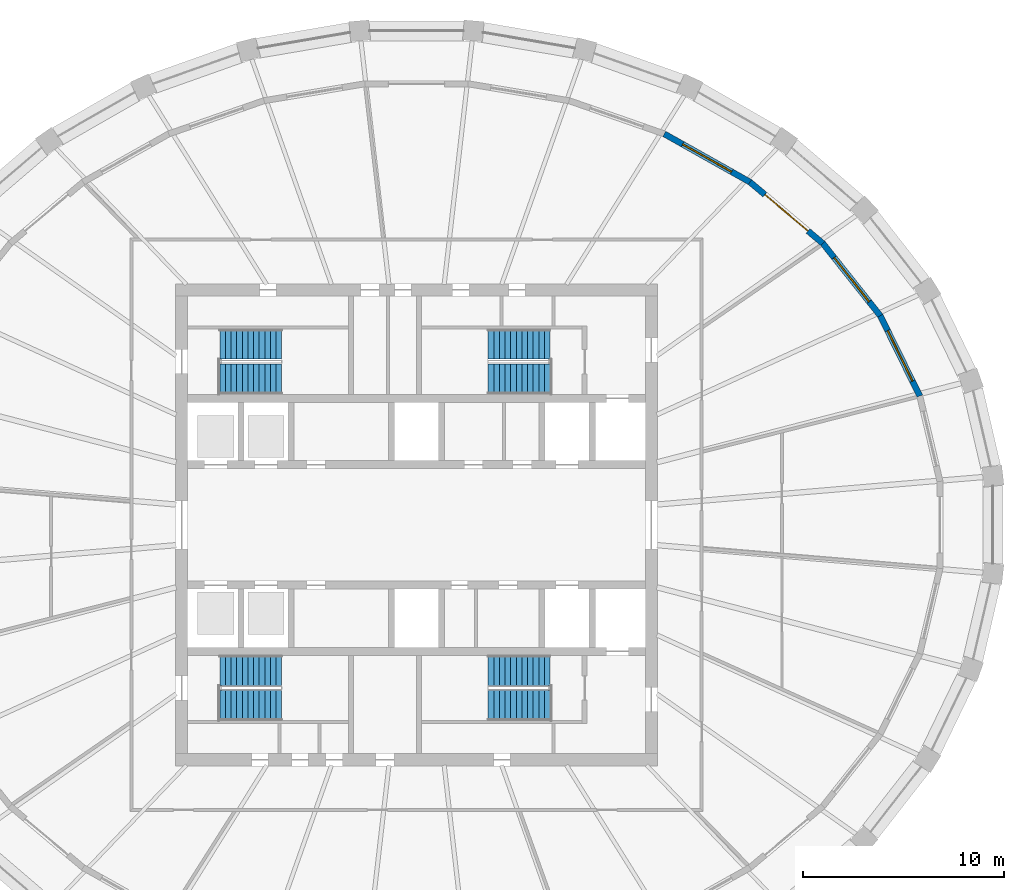
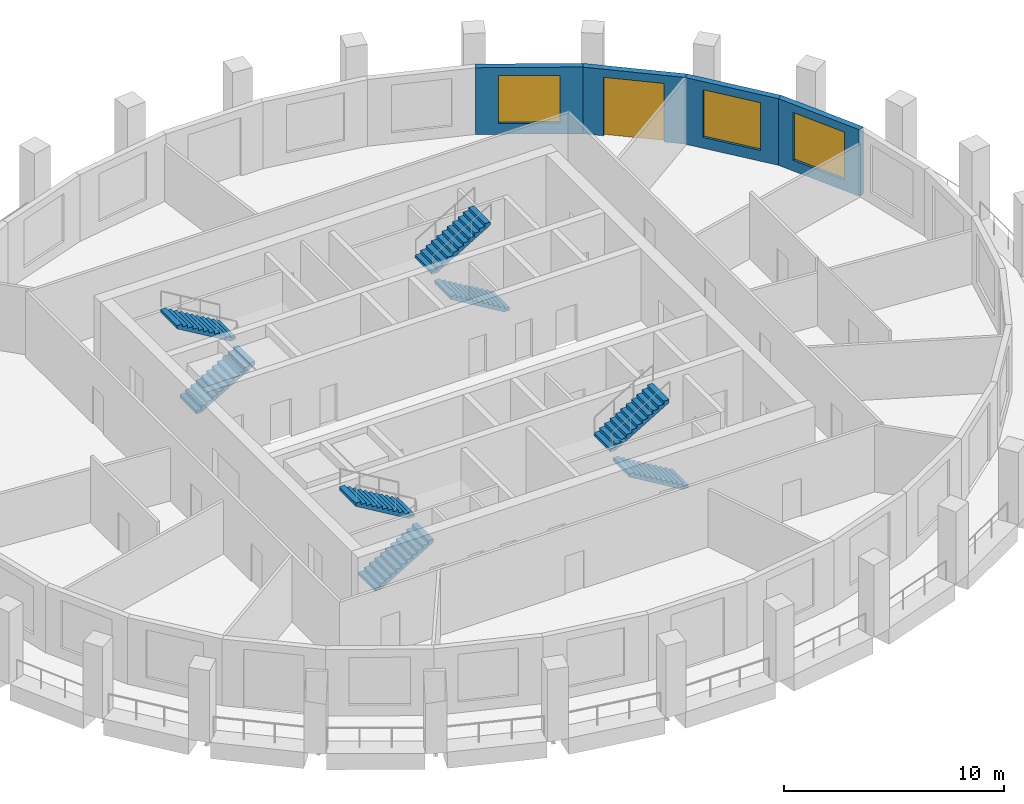
# One storey, part 7 of 10: 8 stair flights, 4 walls, 3 windows, 1 door, 4 openings, 4 elements without a shape of their own.
"""IFC4 building model written with IfcOpenShell, lengths in metres."""

from ifc_helpers import new_model, si_unit, direction, frame, frame_2d, origin, place, context, subcontext, project, spatial, polyline, rectangle, outline, extrude, material, layer, layer_set, type_object, element, fill, aggregate, save


model = new_model("IFC4")

# Units and contexts
model_context = context("Model", 3, precision=1e-05, world=origin(), true_north=direction((0.0, 1.0)))
body_context = subcontext(model_context, "Body", "Model", "MODEL_VIEW")
ifc_project = project(units=[si_unit("LENGTHUNIT", "METRE"), si_unit("AREAUNIT", "SQUARE_METRE"), si_unit("VOLUMEUNIT", "CUBIC_METRE"), si_unit("PLANEANGLEUNIT", "RADIAN"), si_unit("MASSUNIT", "GRAM", prefix="KILO")], contexts=[model_context])

# Site, building, storey
site_placement = place(None, origin())
site = spatial("IfcSite", under=ifc_project, at=site_placement, CompositionType="ELEMENT")
building_placement = place(site_placement, origin())
building = spatial("IfcBuilding", under=site, at=building_placement, Name="Halqa Exchange Tower", CompositionType="ELEMENT")
storey_placement = place(building_placement, frame((0.0, 0.0, 304.300048828125)))
storey = spatial("IfcBuildingStorey", under=building, at=storey_placement, Name="L71", CompositionType="ELEMENT", Elevation=304.300048828125)

# Wall, opening, window
ifc_material_1 = material(Name="Limestone cladding", Category="masonry")
ifc_layer_1 = layer(ifc_material_1, 0.0400390625)
ifc_material_2 = material(Name="Ventilated cavity")
ifc_layer_2 = layer(ifc_material_2, 0.030029296875, ventilated=True)
ifc_material_3 = material(Name="Mineral wool insulation")
ifc_layer_3 = layer(ifc_material_3, 0.10009765625)
ifc_material_4 = material(Name="Concrete C30/37", Category="concrete")
ifc_layer_4 = layer(ifc_material_4, 0.10009765625)
ifc_material_5 = material(Name="Internal plaster")
ifc_layer_5 = layer(ifc_material_5, 0.030029296875)
ifc_layer_set = layer_set([ifc_layer_1, ifc_layer_2, ifc_layer_3, ifc_layer_4, ifc_layer_5], Name="Stone-faced insulated wall 300")
wall_type = type_object("IfcWallType", Name="Stone-faced insulated wall 300", PredefinedType="STANDARD", material=ifc_layer_set)
wall_1_placement = place(storey_placement, frame((25.062744140625, 6.41455078125, 0.0), z_axis=(0.0, 0.0, 1.0), x_axis=(-0.441509050872, 0.897256796017, 0.0)))
wall_1 = element("IfcWall", 1, at=wall_1_placement, inside=storey, type_object=wall_type, Name="Glass-line wall 2", PredefinedType="STANDARD", context=body_context, shape_type="SweptSolid", body=[
    extrude(outline(polyline([(-0.016845703125, -0.14990234375), (4.47412109375, -0.14990234375), (4.44189453125, 0.14990234375), (0.016845703125, 0.14990234375), (-0.016845703125, -0.14990234375)])), origin(), (0.0, 0.0, 1.0), 3.699951171875),
])
opening_1_placement = place(wall_1_placement, frame((0.8291015625, 0.0, 0.60009765625)))
opening_1 = element("IfcOpeningElement", 2, at=opening_1_placement, cuts=wall_1, Name="Opening W-F4-02", PredefinedType="OPENING", context=body_context, shape_type="SweptSolid", body=[
    extrude(rectangle(XDim=2.800048828125, YDim=2.64990234375, at=frame_2d((1.39990234375, 1.324951171875))), frame((0.0, 0.162109375, 0.0), z_axis=(0.0, -1.0, 0.0), x_axis=(1.0, 0.0, 0.0)), (0.0, 0.0, 1.0), 0.323974609375),
])
ifc_material_6 = material(Name="Clear low-emissivity glass in aluminium frame", Category="aluminium")
window_type = type_object("IfcWindowType", Name="Fixed clear glazed window 2800 x 2650", PartitioningType="DOUBLE_PANEL_VERTICAL", PredefinedType="WINDOW", material=ifc_material_6)
window_1_placement = place(opening_1_placement, origin())
window_1 = element("IfcWindow", 3, at=window_1_placement, inside=storey, type_object=window_type, Name="Window 4", OverallHeight=2.64990234375, OverallWidth=2.800048828125, PartitioningType="DOUBLE_PANEL_VERTICAL", PredefinedType="WINDOW", context=body_context, shape_type="SweptSolid", body=[
    extrude(rectangle(XDim=2.800048828125, YDim=2.64990234375, at=frame_2d((1.39990234375, 1.324951171875))), frame((0.0, 0.030029296875, 0.0), z_axis=(0.0, -1.0, 0.0), x_axis=(1.0, 0.0, 0.0)), (0.0, 0.0, 1.0), 0.06005859375),
])
fill(opening_1, window_1)

wall_2_placement = place(storey_placement, frame((23.094482421875, 10.41455078125, 0.0), z_axis=(0.0, 0.0, 1.0), x_axis=(-0.621682706372, 0.78326918272, 0.0)))
wall_2 = element("IfcWall", 4, at=wall_2_placement, inside=storey, type_object=wall_type, Name="Glass-line wall 3", PredefinedType="STANDARD", context=body_context, shape_type="SweptSolid", body=[
    extrude(outline(polyline([(-0.01611328125, -0.14990234375), (4.608154296875, -0.14990234375), (4.577880859375, 0.14990234375), (0.01611328125, 0.14990234375), (-0.01611328125, -0.14990234375)])), origin(), (0.0, 0.0, 1.0), 3.699951171875),
])
opening_2_placement = place(wall_2_placement, frame((0.896484375, 0.0, 0.60009765625)))
opening_2 = element("IfcOpeningElement", 5, at=opening_2_placement, cuts=wall_2, Name="Opening W-F4-03", PredefinedType="OPENING", context=body_context, shape_type="SweptSolid", body=[
    extrude(rectangle(XDim=2.800048828125, YDim=2.64990234375, at=frame_2d((1.39990234375, 1.324951171875))), frame((0.0, 0.162109375, 0.0), z_axis=(0.0, -1.0, 0.0), x_axis=(1.0, 0.0, 0.0)), (0.0, 0.0, 1.0), 0.323974609375),
])
window_2_placement = place(opening_2_placement, origin())
window_2 = element("IfcWindow", 6, at=window_2_placement, inside=storey, type_object=window_type, Name="Window 4", OverallHeight=2.64990234375, OverallWidth=2.800048828125, PartitioningType="DOUBLE_PANEL_VERTICAL", PredefinedType="WINDOW", context=body_context, shape_type="SweptSolid", body=[
    extrude(rectangle(XDim=2.800048828125, YDim=2.64990234375, at=frame_2d((1.39990234375, 1.324951171875))), frame((0.0, 0.030029296875, 0.0), z_axis=(0.0, -1.0, 0.0), x_axis=(1.0, 0.0, 0.0)), (0.0, 0.0, 1.0), 0.06005859375),
])
fill(opening_2, window_2)

# Wall, opening, door
wall_3_placement = place(storey_placement, frame((20.239013671875, 14.01220703125, 0.0), z_axis=(0.0, 0.0, 1.0), x_axis=(-0.765059193792, 0.643959959931, 0.0)))
wall_3 = element("IfcWall", 7, at=wall_3_placement, inside=storey, type_object=wall_type, Name="Glass-line wall 4", PredefinedType="STANDARD", context=body_context, shape_type="SweptSolid", body=[
    extrude(outline(polyline([(-0.01513671875, -0.14990234375), (4.761962890625, -0.14990234375), (4.733642578125, 0.14990234375), (0.01513671875, 0.14990234375), (-0.01513671875, -0.14990234375)])), origin(), (0.0, 0.0, 1.0), 3.699951171875),
])
opening_3_placement = place(wall_3_placement, frame((0.973876953125, 0.0, 0.0)))
opening_3 = element("IfcOpeningElement", 8, at=opening_3_placement, cuts=wall_3, Name="Opening LG-F4-01", PredefinedType="OPENING", context=body_context, shape_type="SweptSolid", body=[
    extrude(rectangle(XDim=2.800048828125, YDim=3.25, at=frame_2d((1.39990234375, 1.625))), frame((0.0, 0.162109375, 0.0), z_axis=(0.0, -1.0, 0.0), x_axis=(1.0, 0.0, 0.0)), (0.0, 0.0, 1.0), 0.323974609375),
])
door_type = type_object("IfcDoorType", Name="Glazed sliding loggia door 2800 x 3250", OperationType="DOUBLE_DOOR_SLIDING", PredefinedType="DOOR", material=ifc_material_6)
door_placement = place(opening_3_placement, origin())
door = element("IfcDoor", 9, at=door_placement, inside=storey, type_object=door_type, Name="Loggia door 1", OperationType="DOUBLE_DOOR_SLIDING", OverallHeight=3.25, OverallWidth=2.800048828125, PredefinedType="DOOR", context=body_context, shape_type="SweptSolid", body=[
    extrude(rectangle(XDim=2.800048828125, YDim=3.25, at=frame_2d((1.39990234375, 1.625))), frame((0.0, 0.02490234375, 0.0), z_axis=(0.0, -1.0, 0.0), x_axis=(1.0, 0.0, 0.0)), (0.0, 0.0, 1.0), 0.050048828125),
])
fill(opening_3, door)

# Wall, opening, window
wall_4_placement = place(storey_placement, frame((16.606689453125, 17.069580078125, 0.0), z_axis=(0.0, 0.0, 1.0), x_axis=(-0.871570211895, 0.490270706588, 0.0)))
wall_4 = element("IfcWall", 10, at=wall_4_placement, inside=storey, type_object=wall_type, Name="Glass-line wall 5", PredefinedType="STANDARD", context=body_context, shape_type="SweptSolid", body=[
    extrude(outline(polyline([(-0.01416015625, -0.14990234375), (4.91064453125, -0.14990234375), (4.88427734375, 0.14990234375), (0.01416015625, 0.14990234375), (-0.01416015625, -0.14990234375)])), origin(), (0.0, 0.0, 1.0), 3.699951171875),
])
opening_4_placement = place(wall_4_placement, frame((1.048828125, 0.0, 0.60009765625)))
opening_4 = element("IfcOpeningElement", 11, at=opening_4_placement, cuts=wall_4, Name="Opening W-F4-05", PredefinedType="OPENING", context=body_context, shape_type="SweptSolid", body=[
    extrude(rectangle(XDim=2.800048828125, YDim=2.64990234375, at=frame_2d((1.39990234375, 1.324951171875))), frame((0.0, 0.162109375, 0.0), z_axis=(0.0, -1.0, 0.0), x_axis=(1.0, 0.0, 0.0)), (0.0, 0.0, 1.0), 0.323974609375),
])
window_3_placement = place(opening_4_placement, origin())
window_3 = element("IfcWindow", 12, at=window_3_placement, inside=storey, type_object=window_type, Name="Window 4", OverallHeight=2.64990234375, OverallWidth=2.800048828125, PartitioningType="DOUBLE_PANEL_VERTICAL", PredefinedType="WINDOW", context=body_context, shape_type="SweptSolid", body=[
    extrude(rectangle(XDim=2.800048828125, YDim=2.64990234375, at=frame_2d((1.39990234375, 1.324951171875))), frame((0.0, 0.030029296875, 0.0), z_axis=(0.0, -1.0, 0.0), x_axis=(1.0, 0.0, 0.0)), (0.0, 0.0, 1.0), 0.06005859375),
])
fill(opening_4, window_3)

# Stair, stair flights
stair_type = type_object("IfcStairType", Name="Exit stair 1500 wide", PredefinedType="HALF_TURN_STAIR", material=ifc_material_4)
stair_1_placement = place(storey_placement, origin())
stair_1 = element("IfcStair", 13, at=stair_1_placement, inside=storey, type_object=stair_type, Name="Exit stair ST1", PredefinedType="HALF_TURN_STAIR")
stair_flight_type = type_object("IfcStairFlightType", Name="Stair flight 1500 wide", PredefinedType="STRAIGHT", material=ifc_material_4)
stair_flight_1_placement = place(storey_placement, frame((-9.800048828125, 7.25, 0.0), z_axis=(0.0, 0.0, 1.0), x_axis=(1.0, 0.0, 0.0)))
stair_flight_1 = element("IfcStairFlight", 14, at=stair_flight_1_placement, type_object=stair_flight_type, Name="ST1 flight 1", NumberOfRisers=12, NumberOfTreads=11, PredefinedType="STRAIGHT", RiserHeight=0.166666667, TreadLength=0.28, context=body_context, shape_type="SweptSolid", body=[
    extrude(outline(polyline([(0.0, 0.0), (0.0, 0.166748046875), (0.280029296875, 0.166748046875), (0.280029296875, 0.333251953125), (0.56005859375, 0.333251953125), (0.56005859375, 0.5), (0.840087890625, 0.5), (0.840087890625, 0.666748046875), (1.1201171875, 0.666748046875), (1.1201171875, 0.833251953125), (1.39990234375, 0.833251953125), (1.39990234375, 1.0), (1.679931640625, 1.0), (1.679931640625, 1.166748046875), (1.9599609375, 1.166748046875), (1.9599609375, 1.333251953125), (2.239990234375, 1.333251953125), (2.239990234375, 1.5), (2.52001953125, 1.5), (2.52001953125, 1.666748046875), (2.800048828125, 1.666748046875), (2.800048828125, 1.833251953125), (3.080078125, 1.833251953125), (3.080078125, 2.0), (3.080078125, 1.658935546875), (0.29296875, 0.0), (0.0, 0.0)])), frame((0.0, 0.75, 0.0), z_axis=(0.0, -1.0, 0.0), x_axis=(1.0, 0.0, 0.0)), (0.0, 0.0, 1.0), 1.5),
])
stair_flight_2_placement = place(storey_placement, frame((-6.719970703125, 9.0, 2.0), z_axis=(0.0, 0.0, 1.0), x_axis=(-1.0, 0.0, 0.0)))
stair_flight_2 = element("IfcStairFlight", 15, at=stair_flight_2_placement, type_object=stair_flight_type, Name="ST1 flight 2", NumberOfRisers=12, NumberOfTreads=11, PredefinedType="STRAIGHT", RiserHeight=0.166666667, TreadLength=0.28, context=body_context, shape_type="SweptSolid", body=[
    extrude(outline(polyline([(0.0, 0.0), (0.0, 0.166748046875), (0.280029296875, 0.166748046875), (0.280029296875, 0.333251953125), (0.56005859375, 0.333251953125), (0.56005859375, 0.5), (0.840087890625, 0.5), (0.840087890625, 0.666748046875), (1.1201171875, 0.666748046875), (1.1201171875, 0.833251953125), (1.39990234375, 0.833251953125), (1.39990234375, 1.0), (1.679931640625, 1.0), (1.679931640625, 1.166748046875), (1.9599609375, 1.166748046875), (1.9599609375, 1.333251953125), (2.239990234375, 1.333251953125), (2.239990234375, 1.5), (2.52001953125, 1.5), (2.52001953125, 1.666748046875), (2.800048828125, 1.666748046875), (2.800048828125, 1.833251953125), (3.080078125, 1.833251953125), (3.080078125, 2.0), (3.080078125, 1.658935546875), (0.29296875, 0.0), (0.0, 0.0)])), frame((0.0, 0.75, 0.0), z_axis=(0.0, -1.0, 0.0), x_axis=(1.0, 0.0, 0.0)), (0.0, 0.0, 1.0), 1.5),
])
aggregate(stair_1, [stair_flight_1, stair_flight_2])

stair_2_placement = place(storey_placement, origin())
stair_2 = element("IfcStair", 16, at=stair_2_placement, inside=storey, type_object=stair_type, Name="Exit stair ST2", PredefinedType="HALF_TURN_STAIR")
stair_flight_3_placement = place(storey_placement, frame((6.64990234375, 7.25, 0.0), z_axis=(0.0, 0.0, 1.0), x_axis=(-1.0, 0.0, 0.0)))
stair_flight_3 = element("IfcStairFlight", 17, at=stair_flight_3_placement, type_object=stair_flight_type, Name="ST2 flight 1", NumberOfRisers=12, NumberOfTreads=11, PredefinedType="STRAIGHT", RiserHeight=0.166666667, TreadLength=0.28, context=body_context, shape_type="SweptSolid", body=[
    extrude(outline(polyline([(0.0, 0.0), (0.0, 0.166748046875), (0.280029296875, 0.166748046875), (0.280029296875, 0.333251953125), (0.56005859375, 0.333251953125), (0.56005859375, 0.5), (0.840087890625, 0.5), (0.840087890625, 0.666748046875), (1.1201171875, 0.666748046875), (1.1201171875, 0.833251953125), (1.39990234375, 0.833251953125), (1.39990234375, 1.0), (1.679931640625, 1.0), (1.679931640625, 1.166748046875), (1.9599609375, 1.166748046875), (1.9599609375, 1.333251953125), (2.239990234375, 1.333251953125), (2.239990234375, 1.5), (2.52001953125, 1.5), (2.52001953125, 1.666748046875), (2.800048828125, 1.666748046875), (2.800048828125, 1.833251953125), (3.080078125, 1.833251953125), (3.080078125, 2.0), (3.080078125, 1.658935546875), (0.29296875, 0.0), (0.0, 0.0)])), frame((0.0, 0.75, 0.0), z_axis=(0.0, -1.0, 0.0), x_axis=(1.0, 0.0, 0.0)), (0.0, 0.0, 1.0), 1.5),
])
stair_flight_4_placement = place(storey_placement, frame((3.570068359375, 9.0, 2.0), z_axis=(0.0, 0.0, 1.0), x_axis=(1.0, 0.0, 0.0)))
stair_flight_4 = element("IfcStairFlight", 18, at=stair_flight_4_placement, type_object=stair_flight_type, Name="ST2 flight 2", NumberOfRisers=12, NumberOfTreads=11, PredefinedType="STRAIGHT", RiserHeight=0.166666667, TreadLength=0.28, context=body_context, shape_type="SweptSolid", body=[
    extrude(outline(polyline([(0.0, 0.0), (0.0, 0.166748046875), (0.280029296875, 0.166748046875), (0.280029296875, 0.333251953125), (0.56005859375, 0.333251953125), (0.56005859375, 0.5), (0.840087890625, 0.5), (0.840087890625, 0.666748046875), (1.1201171875, 0.666748046875), (1.1201171875, 0.833251953125), (1.39990234375, 0.833251953125), (1.39990234375, 1.0), (1.679931640625, 1.0), (1.679931640625, 1.166748046875), (1.9599609375, 1.166748046875), (1.9599609375, 1.333251953125), (2.239990234375, 1.333251953125), (2.239990234375, 1.5), (2.52001953125, 1.5), (2.52001953125, 1.666748046875), (2.800048828125, 1.666748046875), (2.800048828125, 1.833251953125), (3.080078125, 1.833251953125), (3.080078125, 2.0), (3.080078125, 1.658935546875), (0.29296875, 0.0), (0.0, 0.0)])), frame((0.0, 0.75, 0.0), z_axis=(0.0, -1.0, 0.0), x_axis=(1.0, 0.0, 0.0)), (0.0, 0.0, 1.0), 1.5),
])
aggregate(stair_2, [stair_flight_3, stair_flight_4])

stair_3_placement = place(storey_placement, origin())
stair_3 = element("IfcStair", 19, at=stair_3_placement, inside=storey, type_object=stair_type, Name="Exit stair ST3", PredefinedType="HALF_TURN_STAIR")
stair_flight_5_placement = place(storey_placement, frame((-9.800048828125, -9.0, 0.0), z_axis=(0.0, 0.0, 1.0), x_axis=(1.0, 0.0, 0.0)))
stair_flight_5 = element("IfcStairFlight", 20, at=stair_flight_5_placement, type_object=stair_flight_type, Name="ST3 flight 1", NumberOfRisers=12, NumberOfTreads=11, PredefinedType="STRAIGHT", RiserHeight=0.166666667, TreadLength=0.28, context=body_context, shape_type="SweptSolid", body=[
    extrude(outline(polyline([(0.0, 0.0), (0.0, 0.166748046875), (0.280029296875, 0.166748046875), (0.280029296875, 0.333251953125), (0.56005859375, 0.333251953125), (0.56005859375, 0.5), (0.840087890625, 0.5), (0.840087890625, 0.666748046875), (1.1201171875, 0.666748046875), (1.1201171875, 0.833251953125), (1.39990234375, 0.833251953125), (1.39990234375, 1.0), (1.679931640625, 1.0), (1.679931640625, 1.166748046875), (1.9599609375, 1.166748046875), (1.9599609375, 1.333251953125), (2.239990234375, 1.333251953125), (2.239990234375, 1.5), (2.52001953125, 1.5), (2.52001953125, 1.666748046875), (2.800048828125, 1.666748046875), (2.800048828125, 1.833251953125), (3.080078125, 1.833251953125), (3.080078125, 2.0), (3.080078125, 1.658935546875), (0.29296875, 0.0), (0.0, 0.0)])), frame((0.0, 0.75, 0.0), z_axis=(0.0, -1.0, 0.0), x_axis=(1.0, 0.0, 0.0)), (0.0, 0.0, 1.0), 1.5),
])
stair_flight_6_placement = place(storey_placement, frame((-6.719970703125, -7.25, 2.0), z_axis=(0.0, 0.0, 1.0), x_axis=(-1.0, 0.0, 0.0)))
stair_flight_6 = element("IfcStairFlight", 21, at=stair_flight_6_placement, type_object=stair_flight_type, Name="ST3 flight 2", NumberOfRisers=12, NumberOfTreads=11, PredefinedType="STRAIGHT", RiserHeight=0.166666667, TreadLength=0.28, context=body_context, shape_type="SweptSolid", body=[
    extrude(outline(polyline([(0.0, 0.0), (0.0, 0.166748046875), (0.280029296875, 0.166748046875), (0.280029296875, 0.333251953125), (0.56005859375, 0.333251953125), (0.56005859375, 0.5), (0.840087890625, 0.5), (0.840087890625, 0.666748046875), (1.1201171875, 0.666748046875), (1.1201171875, 0.833251953125), (1.39990234375, 0.833251953125), (1.39990234375, 1.0), (1.679931640625, 1.0), (1.679931640625, 1.166748046875), (1.9599609375, 1.166748046875), (1.9599609375, 1.333251953125), (2.239990234375, 1.333251953125), (2.239990234375, 1.5), (2.52001953125, 1.5), (2.52001953125, 1.666748046875), (2.800048828125, 1.666748046875), (2.800048828125, 1.833251953125), (3.080078125, 1.833251953125), (3.080078125, 2.0), (3.080078125, 1.658935546875), (0.29296875, 0.0), (0.0, 0.0)])), frame((0.0, 0.75, 0.0), z_axis=(0.0, -1.0, 0.0), x_axis=(1.0, 0.0, 0.0)), (0.0, 0.0, 1.0), 1.5),
])
aggregate(stair_3, [stair_flight_5, stair_flight_6])

stair_4_placement = place(storey_placement, origin())
stair_4 = element("IfcStair", 22, at=stair_4_placement, inside=storey, type_object=stair_type, Name="Exit stair ST4", PredefinedType="HALF_TURN_STAIR")
stair_flight_7_placement = place(storey_placement, frame((6.64990234375, -9.0, 0.0), z_axis=(0.0, 0.0, 1.0), x_axis=(-1.0, 0.0, 0.0)))
stair_flight_7 = element("IfcStairFlight", 23, at=stair_flight_7_placement, type_object=stair_flight_type, Name="ST4 flight 1", NumberOfRisers=12, NumberOfTreads=11, PredefinedType="STRAIGHT", RiserHeight=0.166666667, TreadLength=0.28, context=body_context, shape_type="SweptSolid", body=[
    extrude(outline(polyline([(0.0, 0.0), (0.0, 0.166748046875), (0.280029296875, 0.166748046875), (0.280029296875, 0.333251953125), (0.56005859375, 0.333251953125), (0.56005859375, 0.5), (0.840087890625, 0.5), (0.840087890625, 0.666748046875), (1.1201171875, 0.666748046875), (1.1201171875, 0.833251953125), (1.39990234375, 0.833251953125), (1.39990234375, 1.0), (1.679931640625, 1.0), (1.679931640625, 1.166748046875), (1.9599609375, 1.166748046875), (1.9599609375, 1.333251953125), (2.239990234375, 1.333251953125), (2.239990234375, 1.5), (2.52001953125, 1.5), (2.52001953125, 1.666748046875), (2.800048828125, 1.666748046875), (2.800048828125, 1.833251953125), (3.080078125, 1.833251953125), (3.080078125, 2.0), (3.080078125, 1.658935546875), (0.29296875, 0.0), (0.0, 0.0)])), frame((0.0, 0.75, 0.0), z_axis=(0.0, -1.0, 0.0), x_axis=(1.0, 0.0, 0.0)), (0.0, 0.0, 1.0), 1.5),
])
stair_flight_8_placement = place(storey_placement, frame((3.570068359375, -7.25, 2.0), z_axis=(0.0, 0.0, 1.0), x_axis=(1.0, 0.0, 0.0)))
stair_flight_8 = element("IfcStairFlight", 24, at=stair_flight_8_placement, type_object=stair_flight_type, Name="ST4 flight 2", NumberOfRisers=12, NumberOfTreads=11, PredefinedType="STRAIGHT", RiserHeight=0.166666667, TreadLength=0.28, context=body_context, shape_type="SweptSolid", body=[
    extrude(outline(polyline([(0.0, 0.0), (0.0, 0.166748046875), (0.280029296875, 0.166748046875), (0.280029296875, 0.333251953125), (0.56005859375, 0.333251953125), (0.56005859375, 0.5), (0.840087890625, 0.5), (0.840087890625, 0.666748046875), (1.1201171875, 0.666748046875), (1.1201171875, 0.833251953125), (1.39990234375, 0.833251953125), (1.39990234375, 1.0), (1.679931640625, 1.0), (1.679931640625, 1.166748046875), (1.9599609375, 1.166748046875), (1.9599609375, 1.333251953125), (2.239990234375, 1.333251953125), (2.239990234375, 1.5), (2.52001953125, 1.5), (2.52001953125, 1.666748046875), (2.800048828125, 1.666748046875), (2.800048828125, 1.833251953125), (3.080078125, 1.833251953125), (3.080078125, 2.0), (3.080078125, 1.658935546875), (0.29296875, 0.0), (0.0, 0.0)])), frame((0.0, 0.75, 0.0), z_axis=(0.0, -1.0, 0.0), x_axis=(1.0, 0.0, 0.0)), (0.0, 0.0, 1.0), 1.5),
])
aggregate(stair_4, [stair_flight_7, stair_flight_8])

save(model, "model.ifc")
